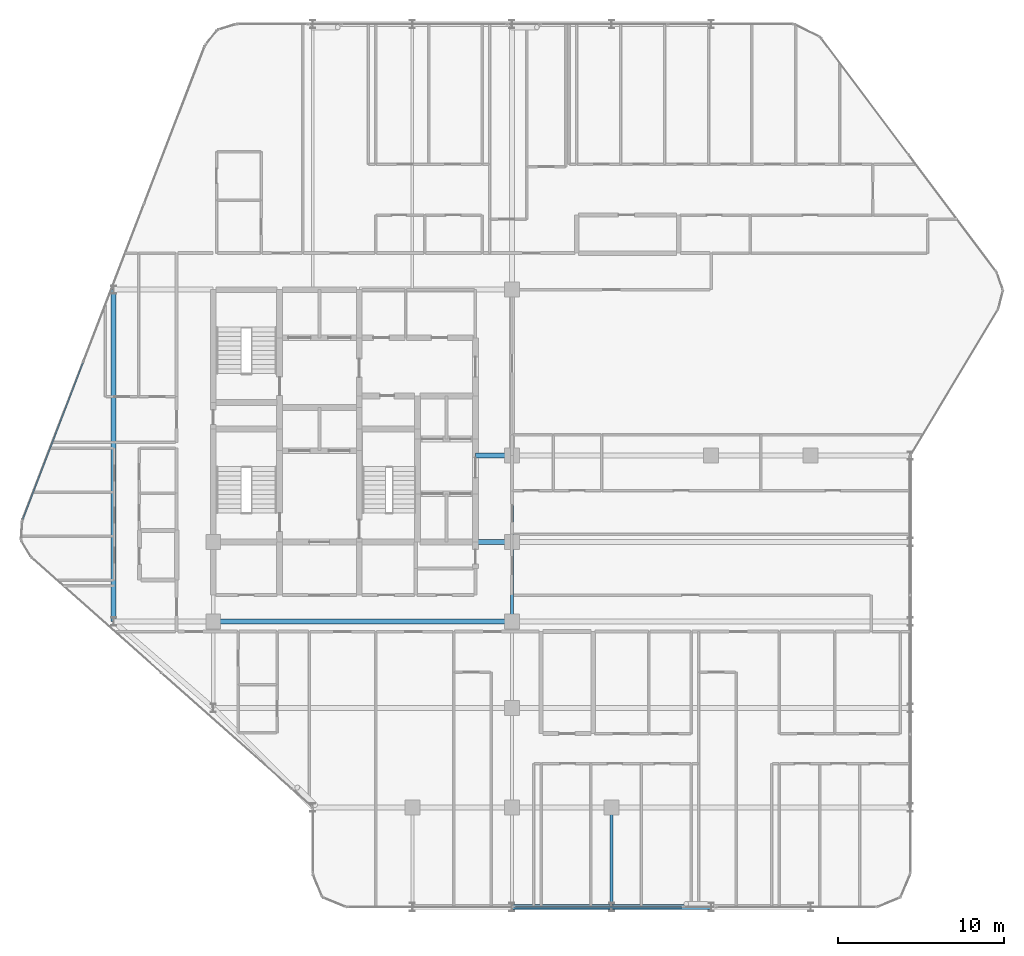
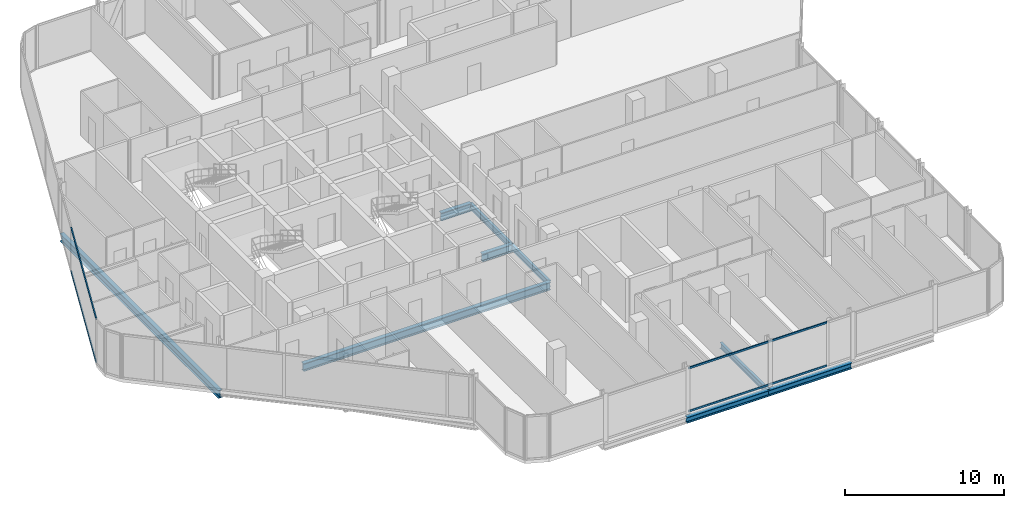
# One storey, part 8 of 32: 9 beams, 4 members, 2 elements without a shape of their own.
"""IFC4 building model written with IfcOpenShell, lengths in metres."""

from ifc_helpers import new_model, si_unit, direction, frame, origin, origin_2d, place, context, subcontext, project, spatial, hollow_rectangle, i_section, extrude, material, layer, layer_set, material_profile, profile_set, type_object, element, aggregate, save


model = new_model("IFC4")

# Units and contexts
model_context = context("Model", 3, precision=1e-05, world=origin(), true_north=direction((0.0, 1.0)))
body_context = subcontext(model_context, "Body", "Model", "MODEL_VIEW")
ifc_project = project(units=[si_unit("LENGTHUNIT", "METRE"), si_unit("AREAUNIT", "SQUARE_METRE"), si_unit("VOLUMEUNIT", "CUBIC_METRE"), si_unit("PLANEANGLEUNIT", "RADIAN"), si_unit("MASSUNIT", "GRAM", prefix="KILO")], contexts=[model_context])

# Site, building, storey
site_placement = place(None, origin())
site = spatial("IfcSite", under=ifc_project, at=site_placement, CompositionType="ELEMENT")
building_placement = place(site_placement, origin())
building = spatial("IfcBuilding", under=site, at=building_placement, Name="Keshet Zoharim Tower", CompositionType="ELEMENT")
storey_placement = place(building_placement, frame((0.0, 0.0, 137.199951171875)))
storey = spatial("IfcBuildingStorey", under=building, at=storey_placement, Name="L33", CompositionType="ELEMENT", Elevation=137.199951171875)

# Beams
ifc_material_1 = material(Name="Steel S355", Category="steel")
ifc_material_profile_1 = material_profile(ifc_material_1, i_section(OverallWidth=0.300048828125, OverallDepth=0.60009765625, WebThickness=0.015380859375, FlangeThickness=0.030029296875, FilletRadius=0.027099609375, at=origin_2d()), Name="HEB600")
ifc_profile_set_1 = profile_set([ifc_material_profile_1], Name="Steel S355")
beam_type_1 = type_object("IfcBeamType", Name="BM-CLK-HB600", PredefinedType="BEAM", material=ifc_profile_set_1)
for number, where, z_axis, x_axis, name in (
    (1, (30.800048828125, 22.699951171875, -0.614990234375), (1.0, 0.0, 0.0), (0.0, 1.0, 0.0), "L33 Core Wall Link Girder 01"),
    (2, (30.800048828125, 27.89990234375, -0.614990234375), (1.0, 0.0, 0.0), (0.0, 1.0, 0.0), "L33 Core Wall Link Girder 02"),
):
    element("IfcBeam", number, at=place(storey_placement, frame(where, z_axis=z_axis, x_axis=x_axis)), inside=storey, type_object=beam_type_1, Name=name, PredefinedType="BEAM", context=body_context, shape_type="SweptSolid", body=[
        extrude(i_section(OverallWidth=0.300048828125, OverallDepth=0.60009765625, WebThickness=0.015380859375, FlangeThickness=0.030029296875, FilletRadius=0.027099609375, at=origin_2d()), origin(), (0.0, 0.0, 1.0), 2.199951171875),
    ])
ifc_material_profile_2 = material_profile(ifc_material_1, i_section(OverallWidth=0.300048828125, OverallDepth=0.60009765625, WebThickness=0.015380859375, FlangeThickness=0.030029296875, FilletRadius=0.027099609375, at=origin_2d()), Name="HEB600")
ifc_profile_set_2 = profile_set([ifc_material_profile_2], Name="Steel S355")
beam_type_2 = type_object("IfcBeamType", Name="BM-LNG-HB600", PredefinedType="BEAM", material=ifc_profile_set_2)
beam_1_placement = place(storey_placement, frame((15.0, 17.89990234375, -0.614990234375), z_axis=(1.0, 0.0, 0.0), x_axis=(0.0, 1.0, 0.0)))
element("IfcBeam", 3, at=beam_1_placement, inside=storey, type_object=beam_type_2, Name="L33 Primary Girder X-012", PredefinedType="BEAM", context=body_context, shape_type="SweptSolid", body=[
    extrude(i_section(OverallWidth=0.300048828125, OverallDepth=0.60009765625, WebThickness=0.015380859375, FlangeThickness=0.030029296875, FilletRadius=0.027099609375, at=origin_2d()), origin(), (0.0, 0.0, 1.0), 18.0),
])
beam_2_placement = place(storey_placement, frame((9.0, 17.89990234375, -0.614990234375), z_axis=(0.0, 1.0, 0.0), x_axis=(-1.0, 0.0, 0.0)))
element("IfcBeam", 4, at=beam_2_placement, inside=storey, type_object=beam_type_2, Name="L33 Primary Girder Y-001", PredefinedType="BEAM", context=body_context, shape_type="SweptSolid", body=[
    extrude(i_section(OverallWidth=0.300048828125, OverallDepth=0.60009765625, WebThickness=0.015380859375, FlangeThickness=0.030029296875, FilletRadius=0.027099609375, at=origin_2d()), origin(), (0.0, 0.0, 1.0), 20.0),
])
ifc_material_profile_3 = material_profile(ifc_material_1, i_section(OverallWidth=0.18994140625, OverallDepth=0.449951171875, WebThickness=0.009521484375, FlangeThickness=0.0146484375, FilletRadius=0.02099609375, at=origin_2d()), Name="IPE450")
ifc_profile_set_3 = profile_set([ifc_material_profile_3], Name="Steel S355")
beam_type_3 = type_object("IfcBeamType", Name="BM-PRI-IP450", PredefinedType="BEAM", material=ifc_profile_set_3)
beam_3_placement = place(storey_placement, frame((33.0, 17.89990234375, -0.5400390625), z_axis=(0.0, 1.0, 0.0), x_axis=(-1.0, 0.0, 0.0)))
element("IfcBeam", 5, at=beam_3_placement, inside=storey, type_object=beam_type_3, Name="L33 Primary Girder Y-008", PredefinedType="BEAM", context=body_context, shape_type="SweptSolid", body=[
    extrude(i_section(OverallWidth=0.18994140625, OverallDepth=0.449951171875, WebThickness=0.009521484375, FlangeThickness=0.0146484375, FilletRadius=0.02099609375, at=origin_2d()), origin(), (0.0, 0.0, 1.0), 4.800048828125),
])
beam_4_placement = place(storey_placement, frame((33.0, 22.699951171875, -0.5400390625), z_axis=(0.0, 1.0, 0.0), x_axis=(-1.0, 0.0, 0.0)))
element("IfcBeam", 6, at=beam_4_placement, inside=storey, type_object=beam_type_3, Name="L33 Primary Girder Y-009", PredefinedType="BEAM", context=body_context, shape_type="SweptSolid", body=[
    extrude(i_section(OverallWidth=0.18994140625, OverallDepth=0.449951171875, WebThickness=0.009521484375, FlangeThickness=0.0146484375, FilletRadius=0.02099609375, at=origin_2d()), origin(), (0.0, 0.0, 1.0), 5.199951171875),
])
beam_5_placement = place(storey_placement, frame((39.0, 0.699951171875, -0.5400390625), z_axis=(0.0, 1.0, 0.0), x_axis=(-1.0, 0.0, 0.0)))
element("IfcBeam", 7, at=beam_5_placement, inside=storey, type_object=beam_type_3, Name="L33 Primary Girder Y-012", PredefinedType="BEAM", context=body_context, shape_type="SweptSolid", body=[
    extrude(i_section(OverallWidth=0.18994140625, OverallDepth=0.449951171875, WebThickness=0.009521484375, FlangeThickness=0.0146484375, FilletRadius=0.02099609375, at=origin_2d()), origin(), (0.0, 0.0, 1.0), 6.0),
])
ifc_material_profile_4 = material_profile(ifc_material_1, i_section(OverallWidth=0.300048828125, OverallDepth=0.449951171875, WebThickness=0.013916015625, FlangeThickness=0.02587890625, FilletRadius=0.027099609375, at=origin_2d()), Name="HEB450")
ifc_profile_set_4 = profile_set([ifc_material_profile_4], Name="Steel S355")
beam_type_4 = type_object("IfcBeamType", Name="BM-WEB-HB450", PredefinedType="BEAM", material=ifc_profile_set_4)
for number, where, z_axis, x_axis, name in (
    (8, (33.0, 0.699951171875, -0.5400390625), (1.0, 0.0, 0.0), (0.0, 1.0, 0.0), "L33 Primary Girder X-002"),
    (9, (39.0, 0.699951171875, -0.5400390625), (1.0, 0.0, 0.0), (0.0, 1.0, 0.0), "L33 Primary Girder X-003"),
):
    element("IfcBeam", number, at=place(storey_placement, frame(where, z_axis=z_axis, x_axis=x_axis)), inside=storey, type_object=beam_type_4, Name=name, PredefinedType="BEAM", context=body_context, shape_type="SweptSolid", body=[
        extrude(i_section(OverallWidth=0.300048828125, OverallDepth=0.449951171875, WebThickness=0.013916015625, FlangeThickness=0.02587890625, FilletRadius=0.027099609375, at=origin_2d()), origin(), (0.0, 0.0, 1.0), 6.0),
    ])

# Curtain wall, members
ifc_material_2 = material(Name="Aluminium 6063-T6", Category="aluminium")
ifc_layer = layer(ifc_material_2, 0.159912109375)
ifc_layer_set = layer_set([ifc_layer], Name="Aluminium 6063-T6")
curtain_wall_type = type_object("IfcCurtainWallType", Name="CW-SYS-03", PredefinedType="NOTDEFINED", material=ifc_layer_set)
curtain_wall_1_placement = place(storey_placement, origin())
curtain_wall_1 = element("IfcCurtainWall", 10, at=curtain_wall_1_placement, inside=storey, type_object=curtain_wall_type, Name="L33 Unitised Curtain Wall 03 Part 3", PredefinedType="NOTDEFINED")
ifc_material_profile_5 = material_profile(ifc_material_2, hollow_rectangle(XDim=0.080078125, YDim=0.139892578125, WallThickness=0.00390625, at=origin_2d()), Name="TRN-80x140")
ifc_profile_set_5 = profile_set([ifc_material_profile_5], Name="Aluminium 6063-T6")
member_type = type_object("IfcMemberType", Name="CWT-T14", PredefinedType="USERDEFINED", material=ifc_profile_set_5)
member_1_placement = place(storey_placement, frame((43.251953125, 0.699951171875, 0.03515625), z_axis=(-1.0, 0.0, 0.0), x_axis=(0.0, -1.0, 0.0)))
member_1 = element("IfcMember", 11, at=member_1_placement, type_object=member_type, Name="CW-03 transom 1.1", ObjectType="TRANSOM", PredefinedType="USERDEFINED", context=body_context, shape_type="SweptSolid", body=[
    extrude(hollow_rectangle(XDim=0.080078125, YDim=0.139892578125, WallThickness=0.00390625, at=origin_2d()), origin(), (0.0, 0.0, 1.0), 10.091064453125),
])
member_2_placement = place(storey_placement, frame((43.251953125, 0.699951171875, 3.35009765625), z_axis=(-1.0, 0.0, 0.0), x_axis=(0.0, -1.0, 0.0)))
member_2 = element("IfcMember", 12, at=member_2_placement, type_object=member_type, Name="CW-03 transom 1.2", ObjectType="TRANSOM", PredefinedType="USERDEFINED", context=body_context, shape_type="SweptSolid", body=[
    extrude(hollow_rectangle(XDim=0.080078125, YDim=0.139892578125, WallThickness=0.00390625, at=origin_2d()), origin(), (0.0, 0.0, 1.0), 10.091064453125),
])
aggregate(curtain_wall_1, [member_1, member_2])

curtain_wall_2_placement = place(storey_placement, origin())
curtain_wall_2 = element("IfcCurtainWall", 13, at=curtain_wall_2_placement, inside=storey, type_object=curtain_wall_type, Name="L33 Unitised Curtain Wall 10", PredefinedType="NOTDEFINED")
member_3_placement = place(storey_placement, frame((3.522216796875, 24.058349609375, 0.03515625), z_axis=(0.358993631387, 0.93334000912, 0.0), x_axis=(-0.93334000912, 0.358993631387, 0.0)))
member_3 = element("IfcMember", 14, at=member_3_placement, type_object=member_type, Name="CW-03 transom 1.1", ObjectType="TRANSOM", PredefinedType="USERDEFINED", context=body_context, shape_type="SweptSolid", body=[
    extrude(hollow_rectangle(XDim=0.080078125, YDim=0.139892578125, WallThickness=0.00390625, at=origin_2d()), origin(), (0.0, 0.0, 1.0), 10.1181640625),
])
member_4_placement = place(storey_placement, frame((3.522216796875, 24.058349609375, 3.35009765625), z_axis=(0.358993631387, 0.93334000912, 0.0), x_axis=(-0.93334000912, 0.358993631387, 0.0)))
member_4 = element("IfcMember", 15, at=member_4_placement, type_object=member_type, Name="CW-03 transom 1.2", ObjectType="TRANSOM", PredefinedType="USERDEFINED", context=body_context, shape_type="SweptSolid", body=[
    extrude(hollow_rectangle(XDim=0.080078125, YDim=0.139892578125, WallThickness=0.00390625, at=origin_2d()), origin(), (0.0, 0.0, 1.0), 10.1181640625),
])
aggregate(curtain_wall_2, [member_3, member_4])

save(model, "model.ifc")
